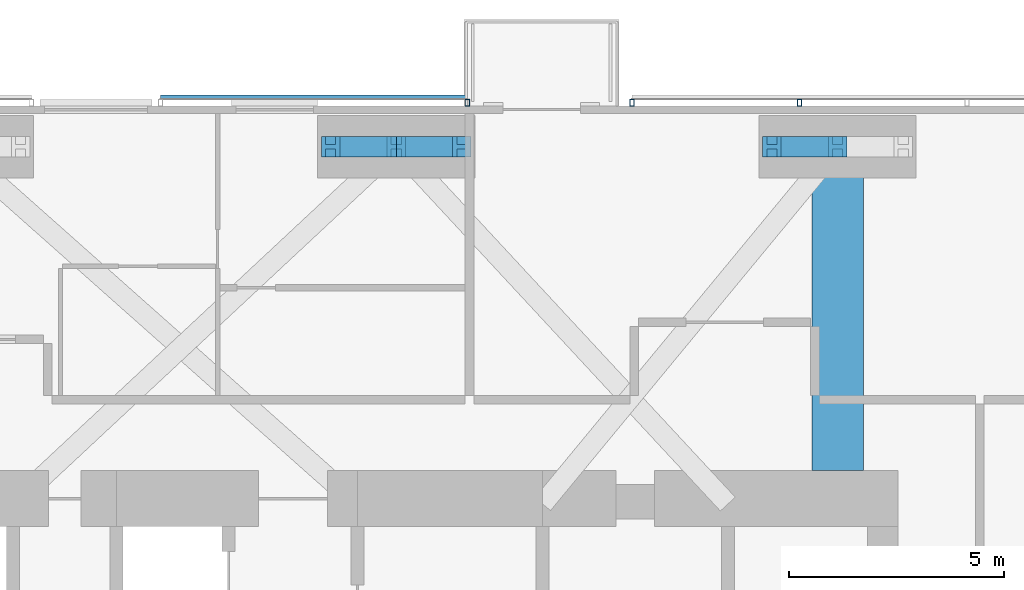
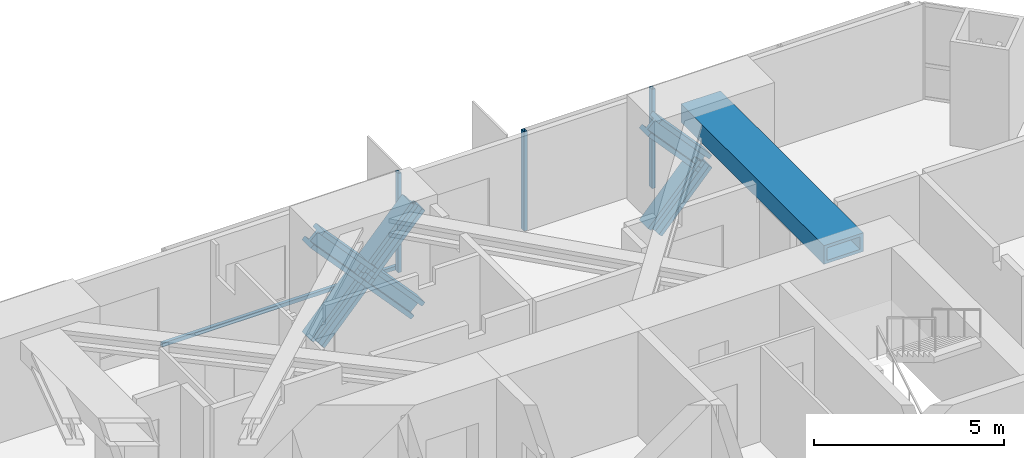
# One storey, part 12 of 22: 10 members, 1 beam, 2 elements without a shape of their own.
"""IFC4 building model written with IfcOpenShell, lengths in metres."""

from ifc_helpers import new_model, si_unit, direction, frame, origin, origin_2d, place, context, subcontext, project, spatial, rectangle, hollow_rectangle, i_section, extrude, material, material_profile, profile_set, type_object, element, aggregate, save


model = new_model("IFC4")

# Units and contexts
model_context = context("Model", 3, precision=1e-05, world=origin(), true_north=direction((0.0, 1.0)))
body_context = subcontext(model_context, "Body", "Model", "MODEL_VIEW")
ifc_project = project(units=[si_unit("LENGTHUNIT", "METRE"), si_unit("AREAUNIT", "SQUARE_METRE"), si_unit("VOLUMEUNIT", "CUBIC_METRE"), si_unit("PLANEANGLEUNIT", "RADIAN"), si_unit("MASSUNIT", "GRAM", prefix="KILO")], contexts=[model_context])

# Site, building, storey
site_placement = place(None, origin())
site = spatial("IfcSite", under=ifc_project, at=site_placement, CompositionType="ELEMENT")
building_placement = place(site_placement, origin())
building = spatial("IfcBuilding", under=site, at=building_placement, Name="Jalousie Tower", CompositionType="ELEMENT")
storey_placement = place(building_placement, frame((0.0, 0.0, 204.60009765625)))
storey = spatial("IfcBuildingStorey", under=building, at=storey_placement, Name="L56", CompositionType="ELEMENT", Elevation=204.60009765625)

# Beam
ifc_material_1 = material(Name="Steel ASTM A572 Grade 50 plate", Category="steel")
ifc_material_profile_1 = material_profile(ifc_material_1, hollow_rectangle(XDim=1.199951171875, YDim=0.60009765625, WallThickness=0.10009765625, at=origin_2d()), Name="BOX 600x1200x100")
ifc_profile_set_1 = profile_set([ifc_material_profile_1], Name="Steel ASTM A572 Grade 50 plate")
beam_type = type_object("IfcBeamType", Name="KINK TIE BOX 600x1200x100", PredefinedType="BEAM", material=ifc_profile_set_1)
beam_placement = place(storey_placement, frame((42.75, 35.050048828125, 2.77001953125), z_axis=(0.0, -1.0, 0.0), x_axis=(1.0, 0.0, 0.0)))
element("IfcBeam", 1, at=beam_placement, inside=storey, type_object=beam_type, Name="Kink tie under L57", PredefinedType="BEAM", context=body_context, shape_type="SweptSolid", body=[
    extrude(hollow_rectangle(XDim=1.199951171875, YDim=0.60009765625, WallThickness=0.10009765625, at=origin_2d()), origin(), (0.0, 0.0, 1.0), 7.525146484375),
])

# Members
ifc_material_2 = material(Name="Steel ASTM A992 Grade 50", Category="steel")
ifc_material_profile_2 = material_profile(ifc_material_2, i_section(OverallWidth=0.472412109375, OverallDepth=0.5791015625, WebThickness=0.094970703125, FlangeThickness=0.1298828125, at=origin_2d()), Name="W14X808")
ifc_profile_set_2 = profile_set([ifc_material_profile_2], Name="Steel ASTM A992 Grade 50")
member_type_1 = type_object("IfcMemberType", Name="PERIMETER BRACE W14X808", PredefinedType="BRACE", material=ifc_profile_set_2)
for number, where, z_axis, x_axis, name in (
    (2, (41.22509765625, 35.050048828125, -0.60009765625), (0.673187629365, 0.0, 0.739471713908), (0.0, 1.0, 0.0), "Perimeter brace 09 L56 part 1"),
    (3, (42.75, 35.050048828125, 1.074951171875), (-0.673187629365, 0.0, 0.739471713908), (0.0, -1.0, 0.0), "Perimeter brace 09 L56 part 4"),
    (4, (30.97509765625, 35.050048828125, -0.60009765625), (0.673187629365, 0.0, 0.739471713908), (0.0, 1.0, 0.0), "Perimeter brace 10 L56 part 1"),
    (5, (32.5, 35.050048828125, 1.074951171875), (0.673187629365, 0.0, 0.739471713908), (0.0, 1.0, 0.0), "Perimeter brace 10 L56 part 2"),
    (6, (34.02490234375, 35.050048828125, -0.60009765625), (-0.673187629365, 0.0, 0.739471713908), (0.0, -1.0, 0.0), "Perimeter brace 10 L56 part 3"),
    (7, (32.5, 35.050048828125, 1.074951171875), (-0.673187629365, 0.0, 0.739471713908), (0.0, -1.0, 0.0), "Perimeter brace 10 L56 part 4"),
):
    element("IfcMember", number, at=place(storey_placement, frame(where, z_axis=z_axis, x_axis=x_axis)), inside=storey, type_object=member_type_1, Name=name, PredefinedType="BRACE", context=body_context, shape_type="SweptSolid", body=[
        extrude(i_section(OverallWidth=0.472412109375, OverallDepth=0.5791015625, WebThickness=0.094970703125, FlangeThickness=0.1298828125, at=origin_2d()), origin(), (0.0, 0.0, 1.0), 2.26513671875),
    ])

# Curtain wall, members
ifc_material_3 = material(Name="Perforated aluminium sheet", Category="aluminium")
curtain_wall_type = type_object("IfcCurtainWallType", Name="SOLAR SCREEN SS-1", PredefinedType="USERDEFINED", material=ifc_material_3)
curtain_wall_1_placement = place(storey_placement, origin())
curtain_wall_1 = element("IfcCurtainWall", 8, at=curtain_wall_1_placement, inside=storey, type_object=curtain_wall_type, Name="Solar screen L56", ObjectType="SOLAR SCREEN SS-1", PredefinedType="USERDEFINED")
ifc_material_4 = material(Name="Steel ASTM A500 Grade C", Category="steel")
ifc_material_profile_3 = material_profile(ifc_material_4, hollow_rectangle(XDim=0.1015625, YDim=0.15234375, WallThickness=0.00634765625, at=origin_2d()), Name="HSS6X4X1/4")
ifc_profile_set_3 = profile_set([ifc_material_profile_3], Name="Steel ASTM A500 Grade C")
member_type_2 = type_object("IfcMemberType", Name="SOLAR SCREEN SS-1 MULLION", PredefinedType="MULLION", material=ifc_profile_set_3)
member_1_placement = place(storey_placement, frame((41.8662109375, 36.0712890625, -0.1201171875), z_axis=(0.0, 0.0, 1.0), x_axis=(-1.0, 0.0, 0.0)))
member_1 = element("IfcMember", 9, at=member_1_placement, type_object=member_type_2, Name="SS1 post 3", PredefinedType="MULLION", context=body_context, shape_type="SweptSolid", body=[
    extrude(hollow_rectangle(XDim=0.1015625, YDim=0.15234375, WallThickness=0.00634765625, at=origin_2d()), origin(), (0.0, 0.0, 1.0), 3.18994140625),
])
member_2_placement = place(storey_placement, frame((37.97509765625, 36.0712890625, -0.1201171875), z_axis=(0.0, 0.0, 1.0), x_axis=(-1.0, 0.0, 0.0)))
member_2 = element("IfcMember", 10, at=member_2_placement, type_object=member_type_2, Name="SS1 post 4", PredefinedType="MULLION", context=body_context, shape_type="SweptSolid", body=[
    extrude(hollow_rectangle(XDim=0.1015625, YDim=0.15234375, WallThickness=0.00634765625, at=origin_2d()), origin(), (0.0, 0.0, 1.0), 3.18994140625),
])
aggregate(curtain_wall_1, [member_1, member_2])

curtain_wall_2_placement = place(storey_placement, origin())
curtain_wall_2 = element("IfcCurtainWall", 11, at=curtain_wall_2_placement, inside=storey, type_object=curtain_wall_type, Name="Solar screen L56", ObjectType="SOLAR SCREEN SS-1", PredefinedType="USERDEFINED")
member_3_placement = place(storey_placement, frame((34.14990234375, 36.0712890625, -0.1201171875), z_axis=(0.0, 0.0, 1.0), x_axis=(-1.0, 0.0, 0.0)))
member_3 = element("IfcMember", 12, at=member_3_placement, type_object=member_type_2, Name="SS1 post 1", PredefinedType="MULLION", context=body_context, shape_type="SweptSolid", body=[
    extrude(hollow_rectangle(XDim=0.1015625, YDim=0.15234375, WallThickness=0.00634765625, at=origin_2d()), origin(), (0.0, 0.0, 1.0), 3.18994140625),
])
ifc_material_5 = material(Name="Extruded aluminium screen rail", Category="aluminium")
ifc_material_profile_4 = material_profile(ifc_material_5, rectangle(XDim=0.1015625, YDim=0.1201171875, at=origin_2d()), Name="RAIL 102x120")
ifc_profile_set_4 = profile_set([ifc_material_profile_4], Name="Extruded aluminium screen rail")
member_type_3 = type_object("IfcMemberType", Name="SOLAR SCREEN SS-1 TRANSOM", PredefinedType="USERDEFINED", material=ifc_profile_set_4)
member_4_placement = place(storey_placement, frame((34.14990234375, 36.1982421875, -0.06005859375), z_axis=(-1.0, 0.0, 0.0), x_axis=(0.0, -1.0, 0.0)))
member_4 = element("IfcMember", 13, at=member_4_placement, type_object=member_type_3, Name="SS1 rail", ObjectType="TRANSOM", PredefinedType="USERDEFINED", context=body_context, shape_type="SweptSolid", body=[
    extrude(rectangle(XDim=0.1015625, YDim=0.1201171875, at=origin_2d()), origin(), (0.0, 0.0, 1.0), 7.125),
])
aggregate(curtain_wall_2, [member_3, member_4])

save(model, "model.ifc")
